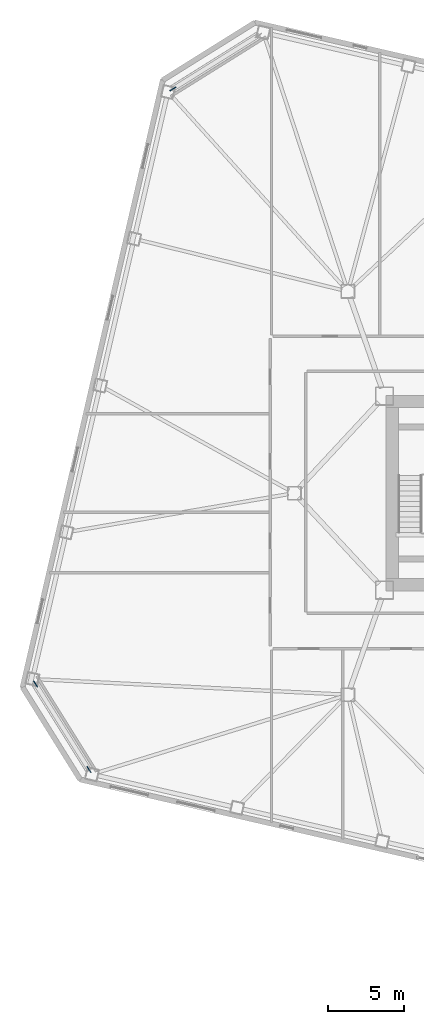
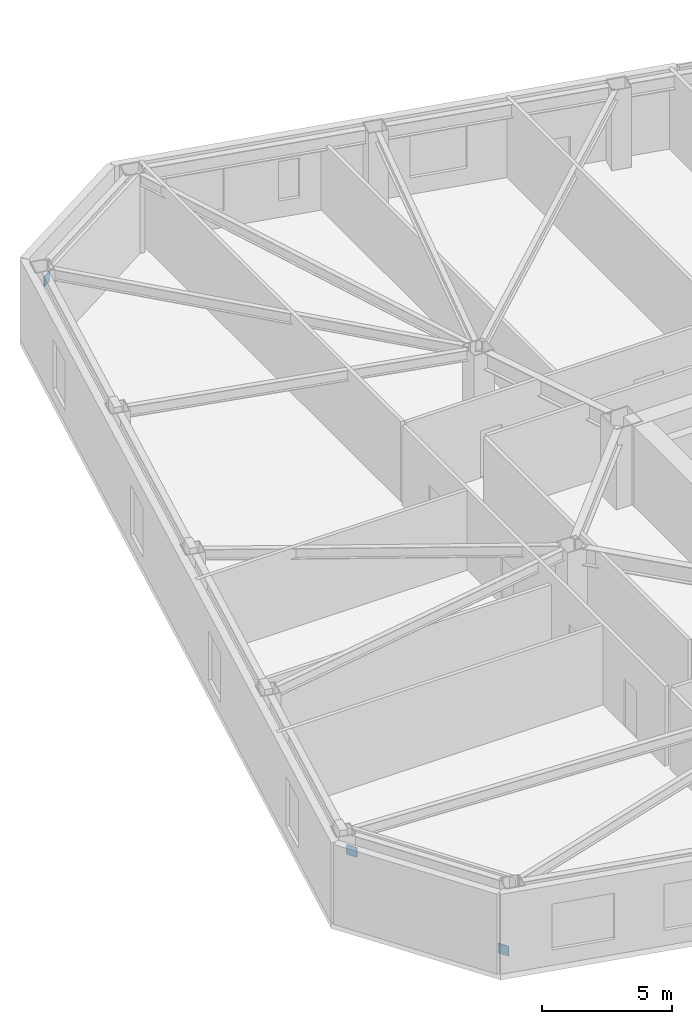
# One storey, part 15 of 19: 3 discrete accessories.
"""IFC4 building model written with IfcOpenShell, lengths in metres."""

import ifcopenshell
import ifcopenshell.guid

model = None  # the IFC model being written
_history = None  # IfcOwnerHistory: only IFC2X3 demands one
_inside = {}  # id of a spatial element -> (the spatial element, [elements in it])
_under = {}  # id of a project, library or spatial element -> (it, [spatial elements below it])
_declared = {}  # id of a project -> (the project, [libraries it declares])
_typed = {}  # id of a type object -> (the type object, [elements of that type])
_made_of = {}  # id of a material, layer set ... -> (it, [elements and type objects made of it])


def new_model(schema):
    """Start an empty IFC model of exactly this schema.

    Asked for "IFC4X3", IfcOpenShell would pick the latest addendum, in which some entities
    have other attributes; the version numbers below select the first issue.
    IFC2X3 requires an IfcOwnerHistory on every rooted entity: one is made here for all.
    """
    global model, _history
    if schema == "IFC4X3":
        model = ifcopenshell.file(schema_version=(4, 3, 0, 0))
    else:
        model = ifcopenshell.file(schema=schema)
    _inside.clear()
    _under.clear()
    _declared.clear()
    _typed.clear()
    _made_of.clear()
    _history = None
    if model.schema == "IFC2X3":
        org = make("IfcOrganization", Name="unknown")
        user = make(
            "IfcPersonAndOrganization",
            ThePerson=make("IfcPerson", FamilyName="unknown"),
            TheOrganization=org,
        )
        app = make(
            "IfcApplication",
            ApplicationDeveloper=org,
            Version="unknown",
            ApplicationFullName="unknown",
            ApplicationIdentifier="unknown",
        )
        _history = make(
            "IfcOwnerHistory",
            OwningUser=user,
            OwningApplication=app,
            ChangeAction="ADDED",
            CreationDate=0,
        )
    return model


def make(cls, **values):
    """One entity of the class cls with the attributes given. An attribute that is None is left unset."""
    return model.create_entity(
        cls, **{name: value for name, value in values.items() if value is not None}
    )


def rooted(cls, **values):
    """An entity with a GlobalId (a new one), such as an element, a storey or a relation."""
    return make(cls, GlobalId=ifcopenshell.guid.new(), OwnerHistory=_history, **values)


def si_unit(unit_type, name, prefix=None):
    """IfcSIUnit, for example si_unit("LENGTHUNIT", "METRE", prefix="MILLI")."""
    return make("IfcSIUnit", UnitType=unit_type, Prefix=prefix, Name=name)


def assignment(units):
    """IfcUnitAssignment: the units of a project."""
    return None if units is None else make("IfcUnitAssignment", Units=units)


def point(xyz):
    """IfcCartesianPoint."""
    return None if xyz is None else make("IfcCartesianPoint", Coordinates=xyz)


def direction(xyz):
    """IfcDirection."""
    return None if xyz is None else make("IfcDirection", DirectionRatios=xyz)


def frame(location, z_axis=None, x_axis=None):
    """IfcAxis2Placement3D, a coordinate frame: its origin and axes. An axis left out is left unset."""
    return make(
        "IfcAxis2Placement3D",
        Location=point(location),
        Axis=direction(z_axis),
        RefDirection=direction(x_axis),
    )


def frame_2d(location, x_axis=None):
    """IfcAxis2Placement2D, a coordinate frame in the plane: its origin and x axis."""
    return make(
        "IfcAxis2Placement2D", Location=point(location), RefDirection=direction(x_axis)
    )


def origin():
    """The frame at (0, 0, 0) with its axes left unset."""
    return frame((0.0, 0.0, 0.0))


def origin_2d():
    """The frame at (0, 0) in the plane with its x axis left unset."""
    return frame_2d((0.0, 0.0))


def place(relative_to, where):
    """IfcLocalPlacement: puts the frame where relative to a parent placement (None: the world)."""
    return make(
        "IfcLocalPlacement", PlacementRelTo=relative_to, RelativePlacement=where
    )


def context(
    kind, dimensions, precision=None, world=None, true_north=None, identifier=None
):
    """IfcGeometricRepresentationContext, for example the 3D "Model" context."""
    return make(
        "IfcGeometricRepresentationContext",
        ContextIdentifier=identifier,
        ContextType=kind,
        CoordinateSpaceDimension=dimensions,
        Precision=precision,
        WorldCoordinateSystem=world,
        TrueNorth=true_north,
    )


def subcontext(parent, identifier, kind, view, scale=None):
    """IfcGeometricRepresentationSubContext, for example "Body" below "Model"."""
    return make(
        "IfcGeometricRepresentationSubContext",
        ContextIdentifier=identifier,
        ContextType=kind,
        ParentContext=parent,
        TargetScale=scale,
        TargetView=view,
    )


def project(units=None, contexts=None):
    """IfcProject with its units and contexts."""
    return rooted(
        "IfcProject",
        Name="project",
        RepresentationContexts=contexts,
        UnitsInContext=assignment(units),
    )


def spatial(cls, under=None, at=None, **own):
    """A site, building, storey or space (cls), placed at a placement, below another one or the project."""
    s = rooted(cls, ObjectPlacement=at, **own)
    if under is not None:
        _under.setdefault(under.id(), (under, []))[1].append(s)
    return s


def profile(cls, at=None, kind="AREA", **sizes):
    """A parametric profile (cls). Its sizes go by their IFC names, for example OverallWidth=200.0."""
    return make(cls, ProfileType=kind, Position=at, **sizes)


def rectangle(**sizes):
    """IfcRectangleProfileDef."""
    return profile("IfcRectangleProfileDef", **sizes)


def extrude(swept, where, along, depth):
    """IfcExtrudedAreaSolid: the profile swept, set in the frame where, extruded along a direction by depth."""
    return make(
        "IfcExtrudedAreaSolid",
        SweptArea=swept,
        Position=where,
        ExtrudedDirection=direction(along),
        Depth=depth,
    )


def shape(context_of_items, identifier, shape_type, items):
    """IfcShapeRepresentation: the items that make up one representation, for example the "Body"."""
    return make(
        "IfcShapeRepresentation",
        ContextOfItems=context_of_items,
        RepresentationIdentifier=identifier,
        RepresentationType=shape_type,
        Items=items,
    )


def material(Name=None, Category=None):
    """IfcMaterial."""
    return make("IfcMaterial", Name=Name, Category=Category)


def made_of(thing, what):
    """Note that an element or type object is made of a material, layer set ...; save() writes the relation."""
    if what is not None:
        _made_of.setdefault(what.id(), (what, []))[1].append(thing)
    return thing


def type_object(cls, material=None, **own):
    """A type object (cls), such as IfcWallType, which elements share."""
    return made_of(rooted(cls, **own), material)


def element(
    cls,
    number,
    at=None,
    inside=None,
    cuts=None,
    type_object=None,
    material=None,
    context=None,
    identifier="Body",
    shape_type=None,
    held_by="IfcProductDefinitionShape",
    body=None,
    shapes=None,
    **own,
):
    """One element of the class cls, such as IfcWall. Its Tag is "e" and its number.

    at: its placement. inside: the storey or other place that contains it. cuts: it is an
    opening in that element (IfcRelVoidsElement). A single representation is given by context,
    identifier, shape_type and body (its items); several are given by shapes. held_by: the class
    of the entity that holds the representations. save() writes the other relations.
    """
    e = rooted(cls, Tag="e%d" % number, ObjectPlacement=at, **own)
    if body is not None:
        shapes = [shape(context, identifier, shape_type, body)]
    if shapes is not None:
        e.Representation = make(held_by, Representations=shapes)
    if inside is not None:
        _inside.setdefault(inside.id(), (inside, []))[1].append(e)
    if cuts is not None:
        rooted(
            "IfcRelVoidsElement", RelatingBuildingElement=cuts, RelatedOpeningElement=e
        )
    if type_object is not None:
        _typed.setdefault(type_object.id(), (type_object, []))[1].append(e)
    return made_of(e, material)


def aggregate(whole, parts):
    """IfcRelAggregates: a whole, such as a stair, and the parts it consists of."""
    return rooted("IfcRelAggregates", RelatingObject=whole, RelatedObjects=parts)


def save(model, path):
    """Write the relations noted so far, then the file.

    IfcRelAggregates (storeys below a building ...), IfcRelContainedInSpatialStructure (elements
    in a storey), IfcRelDefinesByType, IfcRelAssociatesMaterial and IfcRelDeclares: one each for
    every whole, place, type object, material and project.
    """
    for whole, parts in _under.values():
        aggregate(whole, parts)
    for where, things in _inside.values():
        rooted(
            "IfcRelContainedInSpatialStructure",
            RelatedElements=things,
            RelatingStructure=where,
        )
    for kind, things in _typed.values():
        rooted("IfcRelDefinesByType", RelatedObjects=things, RelatingType=kind)
    for what, things in _made_of.values():
        rooted("IfcRelAssociatesMaterial", RelatedObjects=things, RelatingMaterial=what)
    for by, libraries in _declared.values():
        rooted("IfcRelDeclares", RelatingContext=by, RelatedDefinitions=libraries)
    model.write(path)


model = new_model("IFC4")

# Units and contexts
model_context = context("Model", 3, precision=1e-05, world=origin(), true_north=direction((0.0, 1.0)))
body_context = subcontext(model_context, "Body", "Model", "MODEL_VIEW")
ifc_project = project(units=[si_unit("LENGTHUNIT", "METRE"), si_unit("AREAUNIT", "SQUARE_METRE"), si_unit("VOLUMEUNIT", "CUBIC_METRE"), si_unit("PLANEANGLEUNIT", "RADIAN"), si_unit("MASSUNIT", "GRAM", prefix="KILO")], contexts=[model_context])

# Site, building, storey
site_placement = place(None, origin())
site = spatial("IfcSite", under=ifc_project, at=site_placement, CompositionType="ELEMENT")
building_placement = place(site_placement, origin())
building = spatial("IfcBuilding", under=site, at=building_placement, Name="Tavrogorsk Clinical Tower", CompositionType="ELEMENT")
storey_placement = place(building_placement, frame((0.0, 0.0, 75.39990234375)))
storey = spatial("IfcBuildingStorey", under=building, at=storey_placement, Name="L16", CompositionType="ELEMENT", Elevation=75.39990234375)

# Discrete accessories
ifc_material = material(Name="Structural steel S440", Category="steel")
discrete_accessory_type = type_object("IfcDiscreteAccessoryType", Name="GussetPlateBracket_25", PredefinedType="BRACKET", material=ifc_material)
for number, where, z_axis, x_axis, name in (
    (1, (-35.951904296875, 26.46240234375, 2.667724609375), (0.0, 0.0, 1.0), (-0.848048096156, -0.529919264233, 0.0), "L16 Brace Gusset Plate EXOCRN-L16-3-B"),
    (2, (-41.453857421875, -18.081787109375, 0.212646484375), (0.0, 0.0, 1.0), (-0.529919264233, 0.848048096156, 0.0), "L16 Brace Gusset Plate EXOCRN-L16-4-A"),
    (3, (-44.94580078125, -12.49365234375, 2.667724609375), (0.0, 0.0, 1.0), (-0.529919264233, 0.848048096156, 0.0), "L16 Brace Gusset Plate EXOCRN-L16-4-B"),
):
    element("IfcDiscreteAccessory", number, at=place(storey_placement, frame(where, z_axis=z_axis, x_axis=x_axis)), inside=storey, type_object=discrete_accessory_type, Name=name, PredefinedType="BRACKET", context=body_context, shape_type="SweptSolid", body=[
        extrude(rectangle(XDim=0.4599609375, YDim=0.0400390625, at=origin_2d()), origin(), (0.0, 0.0, 1.0), 0.4599609375),
    ])

save(model, "model.ifc")
